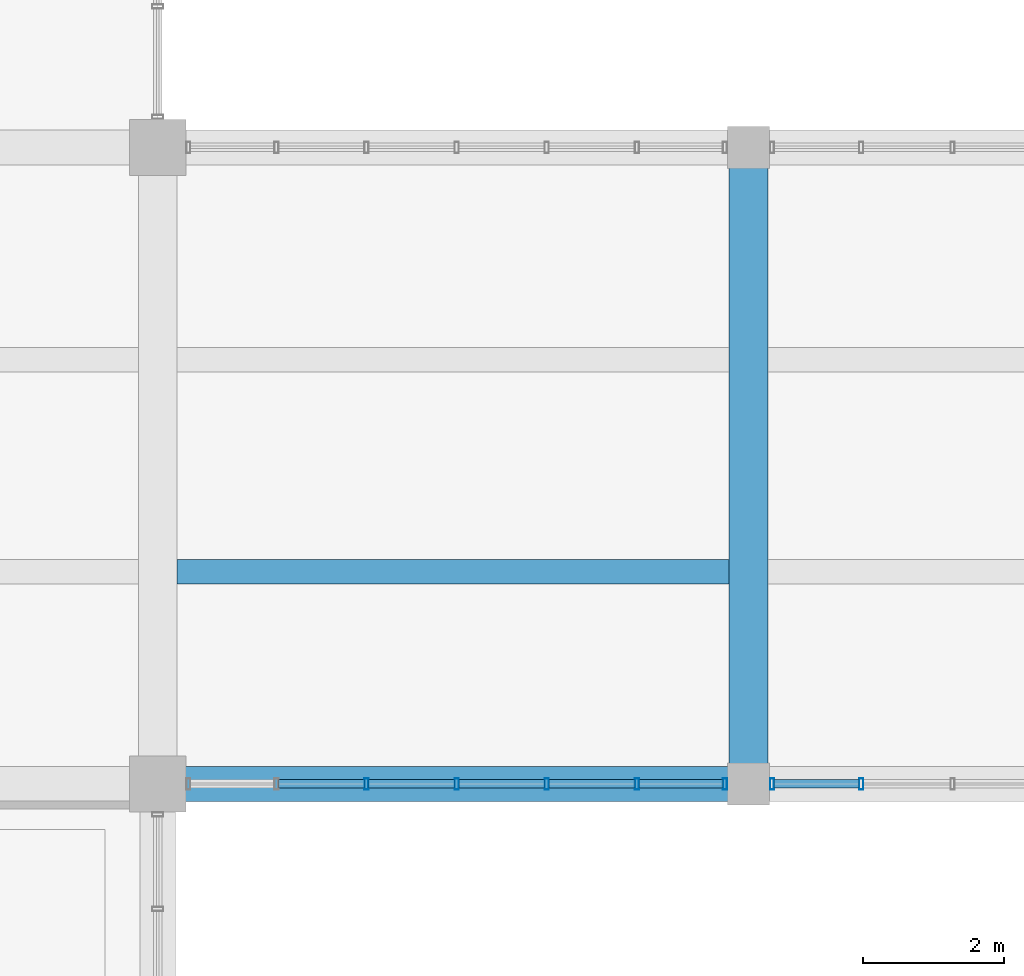
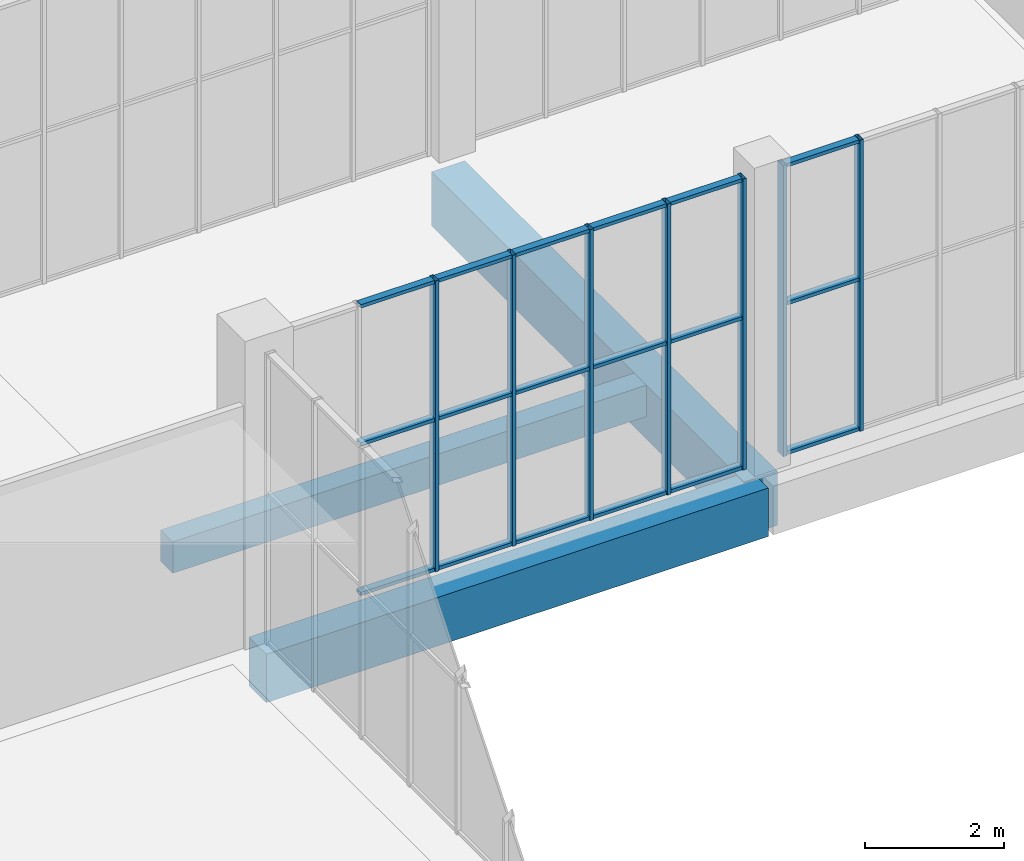
# One storey, part 39 of 132: 25 members, 3 beams, 2 elements without a shape of their own.
"""IFC4 building model written with IfcOpenShell, lengths in metres."""

from ifc_helpers import new_model, si_unit, direction, frame, origin, origin_2d, place, context, subcontext, project, spatial, rectangle, hollow_rectangle, extrude, material, material_profile, profile_set, type_object, element, aggregate, save


model = new_model("IFC4")

# Units and contexts
model_context = context("Model", 3, precision=1e-05, world=origin(), true_north=direction((0.0, 1.0)))
body_context = subcontext(model_context, "Body", "Model", "MODEL_VIEW")
ifc_project = project(units=[si_unit("LENGTHUNIT", "METRE"), si_unit("AREAUNIT", "SQUARE_METRE"), si_unit("VOLUMEUNIT", "CUBIC_METRE"), si_unit("PLANEANGLEUNIT", "RADIAN"), si_unit("MASSUNIT", "GRAM", prefix="KILO")], contexts=[model_context])

# Site, building, storey
site_placement = place(None, origin())
site = spatial("IfcSite", under=ifc_project, at=site_placement, CompositionType="ELEMENT")
building_placement = place(site_placement, origin())
building = spatial("IfcBuilding", under=site, at=building_placement, Name="Khurvash Pelagic Aquarium", CompositionType="ELEMENT")
storey_placement = place(building_placement, frame((0.0, 0.0, 5.39990234375)))
storey = spatial("IfcBuildingStorey", under=building, at=storey_placement, Name="L01", CompositionType="ELEMENT", Elevation=5.39990234375)

# Beam
ifc_material_1 = material(Name="Concrete C40/50", Category="concrete")
ifc_material_profile_1 = material_profile(ifc_material_1, rectangle(XDim=0.550048828125, YDim=0.949951171875, at=origin_2d()), Name="RC550X950")
ifc_profile_set_1 = profile_set([ifc_material_profile_1], Name="Concrete C40/50")
beam_type_1 = type_object("IfcBeamType", Name="BM-02", PredefinedType="BEAM", material=ifc_profile_set_1)
beam_1_placement = place(storey_placement, frame((117.60009765625, 20.739990234375, -0.784912109375), z_axis=(0.0, 1.0, 0.0), x_axis=(-1.0, 0.0, 0.0)))
element("IfcBeam", 1, at=beam_1_placement, inside=storey, type_object=beam_type_1, Name="L01 Primary Girder BM-02 00424", PredefinedType="BEAM", context=body_context, shape_type="SweptSolid", body=[
    extrude(rectangle(XDim=0.550048828125, YDim=0.949951171875, at=origin_2d()), origin(), (0.0, 0.0, 1.0), 8.969970703125),
])

# Curtain wall, members
ifc_material_2 = material(Name="Anodised aluminium and low-E laminated glass", Category="aluminium")
curtain_wall_type = type_object("IfcCurtainWallType", Name="CW-05", PredefinedType="USERDEFINED", material=ifc_material_2)
curtain_wall_1_placement = place(storey_placement, origin())
curtain_wall_1 = element("IfcCurtainWall", 2, at=curtain_wall_1_placement, inside=storey, type_object=curtain_wall_type, Name="L01 Facade Unitised Curtain Wall CW-05 0109", ObjectType="UNITISED CURTAIN WALL", PredefinedType="USERDEFINED")
ifc_material_3 = material(Name="Extruded aluminium AW-6063-T6", Category="aluminium")
ifc_material_profile_2 = material_profile(ifc_material_3, hollow_rectangle(XDim=0.06005859375, YDim=0.159912109375, WallThickness=0.00390625, at=origin_2d()), Name="CWM60X160X4")
ifc_profile_set_2 = profile_set([ifc_material_profile_2], Name="Extruded aluminium AW-6063-T6")
member_type_1 = type_object("IfcMemberType", Name="CM-02", PredefinedType="MULLION", material=ifc_profile_set_2)
member_1_placement = place(storey_placement, frame((112.168212890625, 20.699951171875, 0.0), z_axis=(0.0, 0.0, 1.0), x_axis=(1.0, 0.0, 0.0)))
member_1 = element("IfcMember", 3, at=member_1_placement, type_object=member_type_1, Name="CW-05 mullion 3", PredefinedType="MULLION", context=body_context, shape_type="SweptSolid", body=[
    extrude(hollow_rectangle(XDim=0.06005859375, YDim=0.159912109375, WallThickness=0.00390625, at=origin_2d()), origin(), (0.0, 0.0, 1.0), 5.10009765625),
])
member_2_placement = place(storey_placement, frame((113.449951171875, 20.699951171875, 0.0), z_axis=(0.0, 0.0, 1.0), x_axis=(1.0, 0.0, 0.0)))
member_2 = element("IfcMember", 4, at=member_2_placement, type_object=member_type_1, Name="CW-05 mullion 4", PredefinedType="MULLION", context=body_context, shape_type="SweptSolid", body=[
    extrude(hollow_rectangle(XDim=0.06005859375, YDim=0.159912109375, WallThickness=0.00390625, at=origin_2d()), origin(), (0.0, 0.0, 1.0), 5.10009765625),
])
member_3_placement = place(storey_placement, frame((114.731689453125, 20.699951171875, 0.0), z_axis=(0.0, 0.0, 1.0), x_axis=(1.0, 0.0, 0.0)))
member_3 = element("IfcMember", 5, at=member_3_placement, type_object=member_type_1, Name="CW-05 mullion 5", PredefinedType="MULLION", context=body_context, shape_type="SweptSolid", body=[
    extrude(hollow_rectangle(XDim=0.06005859375, YDim=0.159912109375, WallThickness=0.00390625, at=origin_2d()), origin(), (0.0, 0.0, 1.0), 5.10009765625),
])
member_4_placement = place(storey_placement, frame((116.013427734375, 20.699951171875, 0.0), z_axis=(0.0, 0.0, 1.0), x_axis=(1.0, 0.0, 0.0)))
member_4 = element("IfcMember", 6, at=member_4_placement, type_object=member_type_1, Name="CW-05 mullion 6", PredefinedType="MULLION", context=body_context, shape_type="SweptSolid", body=[
    extrude(hollow_rectangle(XDim=0.06005859375, YDim=0.159912109375, WallThickness=0.00390625, at=origin_2d()), origin(), (0.0, 0.0, 1.0), 5.10009765625),
])
member_5_placement = place(storey_placement, frame((117.264892578125, 20.699951171875, 0.0), z_axis=(0.0, 0.0, 1.0), x_axis=(1.0, 0.0, 0.0)))
member_5 = element("IfcMember", 7, at=member_5_placement, type_object=member_type_1, Name="CW-05 mullion 7", PredefinedType="MULLION", context=body_context, shape_type="SweptSolid", body=[
    extrude(hollow_rectangle(XDim=0.06005859375, YDim=0.159912109375, WallThickness=0.00390625, at=origin_2d()), origin(), (0.0, 0.0, 1.0), 5.10009765625),
])

curtain_wall_2_placement = place(storey_placement, origin())
curtain_wall_2 = element("IfcCurtainWall", 8, at=curtain_wall_2_placement, inside=storey, type_object=curtain_wall_type, Name="L01 Facade Unitised Curtain Wall CW-05 0110", ObjectType="UNITISED CURTAIN WALL", PredefinedType="USERDEFINED")
member_6_placement = place(storey_placement, frame((117.93505859375, 20.699951171875, 0.0), z_axis=(0.0, 0.0, 1.0), x_axis=(1.0, 0.0, 0.0)))
member_6 = element("IfcMember", 9, at=member_6_placement, type_object=member_type_1, Name="CW-05 mullion 1", PredefinedType="MULLION", context=body_context, shape_type="SweptSolid", body=[
    extrude(hollow_rectangle(XDim=0.06005859375, YDim=0.159912109375, WallThickness=0.00390625, at=origin_2d()), origin(), (0.0, 0.0, 1.0), 5.10009765625),
])
member_7_placement = place(storey_placement, frame((119.203369140625, 20.699951171875, 0.0), z_axis=(0.0, 0.0, 1.0), x_axis=(1.0, 0.0, 0.0)))
member_7 = element("IfcMember", 10, at=member_7_placement, type_object=member_type_1, Name="CW-05 mullion 2", PredefinedType="MULLION", context=body_context, shape_type="SweptSolid", body=[
    extrude(hollow_rectangle(XDim=0.06005859375, YDim=0.159912109375, WallThickness=0.00390625, at=origin_2d()), origin(), (0.0, 0.0, 1.0), 5.10009765625),
])

# Member
ifc_material_profile_3 = material_profile(ifc_material_3, hollow_rectangle(XDim=0.1201171875, YDim=0.06005859375, WallThickness=0.00390625, at=origin_2d()), Name="CWT120X60X4")
ifc_profile_set_3 = profile_set([ifc_material_profile_3], Name="Extruded aluminium AW-6063-T6")
member_type_2 = type_object("IfcMemberType", Name="CT-02", PredefinedType="USERDEFINED", material=ifc_profile_set_3)
member_8_placement = place(storey_placement, frame((110.916748046875, 20.699951171875, 0.030029296875), z_axis=(1.0, 0.0, 0.0), x_axis=(0.0, 1.0, 0.0)))
member_8 = element("IfcMember", 11, at=member_8_placement, type_object=member_type_2, Name="CW-05 transom 2.1", ObjectType="TRANSOM", PredefinedType="USERDEFINED", context=body_context, shape_type="SweptSolid", body=[
    extrude(hollow_rectangle(XDim=0.1201171875, YDim=0.06005859375, WallThickness=0.00390625, at=origin_2d()), origin(), (0.0, 0.0, 1.0), 1.2216796875),
])

member_9_placement = place(storey_placement, frame((110.916748046875, 20.699951171875, 2.652099609375), z_axis=(1.0, 0.0, 0.0), x_axis=(0.0, 1.0, 0.0)))
member_9 = element("IfcMember", 12, at=member_9_placement, type_object=member_type_2, Name="CW-05 transom 2.2", ObjectType="TRANSOM", PredefinedType="USERDEFINED", context=body_context, shape_type="SweptSolid", body=[
    extrude(hollow_rectangle(XDim=0.1201171875, YDim=0.06005859375, WallThickness=0.00390625, at=origin_2d()), origin(), (0.0, 0.0, 1.0), 1.2216796875),
])

member_10_placement = place(storey_placement, frame((110.916748046875, 20.699951171875, 5.070068359375), z_axis=(1.0, 0.0, 0.0), x_axis=(0.0, 1.0, 0.0)))
member_10 = element("IfcMember", 13, at=member_10_placement, type_object=member_type_2, Name="CW-05 transom 2.3", ObjectType="TRANSOM", PredefinedType="USERDEFINED", context=body_context, shape_type="SweptSolid", body=[
    extrude(hollow_rectangle(XDim=0.1201171875, YDim=0.06005859375, WallThickness=0.00390625, at=origin_2d()), origin(), (0.0, 0.0, 1.0), 1.2216796875),
])

member_11_placement = place(storey_placement, frame((112.1982421875, 20.699951171875, 0.030029296875), z_axis=(1.0, 0.0, 0.0), x_axis=(0.0, 1.0, 0.0)))
member_11 = element("IfcMember", 14, at=member_11_placement, type_object=member_type_2, Name="CW-05 transom 3.1", ObjectType="TRANSOM", PredefinedType="USERDEFINED", context=body_context, shape_type="SweptSolid", body=[
    extrude(hollow_rectangle(XDim=0.1201171875, YDim=0.06005859375, WallThickness=0.00390625, at=origin_2d()), origin(), (0.0, 0.0, 1.0), 1.2216796875),
])

member_12_placement = place(storey_placement, frame((112.1982421875, 20.699951171875, 2.652099609375), z_axis=(1.0, 0.0, 0.0), x_axis=(0.0, 1.0, 0.0)))
member_12 = element("IfcMember", 15, at=member_12_placement, type_object=member_type_2, Name="CW-05 transom 3.2", ObjectType="TRANSOM", PredefinedType="USERDEFINED", context=body_context, shape_type="SweptSolid", body=[
    extrude(hollow_rectangle(XDim=0.1201171875, YDim=0.06005859375, WallThickness=0.00390625, at=origin_2d()), origin(), (0.0, 0.0, 1.0), 1.2216796875),
])

member_13_placement = place(storey_placement, frame((112.1982421875, 20.699951171875, 5.070068359375), z_axis=(1.0, 0.0, 0.0), x_axis=(0.0, 1.0, 0.0)))
member_13 = element("IfcMember", 16, at=member_13_placement, type_object=member_type_2, Name="CW-05 transom 3.3", ObjectType="TRANSOM", PredefinedType="USERDEFINED", context=body_context, shape_type="SweptSolid", body=[
    extrude(hollow_rectangle(XDim=0.1201171875, YDim=0.06005859375, WallThickness=0.00390625, at=origin_2d()), origin(), (0.0, 0.0, 1.0), 1.2216796875),
])

member_14_placement = place(storey_placement, frame((113.47998046875, 20.699951171875, 0.030029296875), z_axis=(1.0, 0.0, 0.0), x_axis=(0.0, 1.0, 0.0)))
member_14 = element("IfcMember", 17, at=member_14_placement, type_object=member_type_2, Name="CW-05 transom 4.1", ObjectType="TRANSOM", PredefinedType="USERDEFINED", context=body_context, shape_type="SweptSolid", body=[
    extrude(hollow_rectangle(XDim=0.1201171875, YDim=0.06005859375, WallThickness=0.00390625, at=origin_2d()), origin(), (0.0, 0.0, 1.0), 1.2216796875),
])

member_15_placement = place(storey_placement, frame((113.47998046875, 20.699951171875, 2.652099609375), z_axis=(1.0, 0.0, 0.0), x_axis=(0.0, 1.0, 0.0)))
member_15 = element("IfcMember", 18, at=member_15_placement, type_object=member_type_2, Name="CW-05 transom 4.2", ObjectType="TRANSOM", PredefinedType="USERDEFINED", context=body_context, shape_type="SweptSolid", body=[
    extrude(hollow_rectangle(XDim=0.1201171875, YDim=0.06005859375, WallThickness=0.00390625, at=origin_2d()), origin(), (0.0, 0.0, 1.0), 1.2216796875),
])

member_16_placement = place(storey_placement, frame((113.47998046875, 20.699951171875, 5.070068359375), z_axis=(1.0, 0.0, 0.0), x_axis=(0.0, 1.0, 0.0)))
member_16 = element("IfcMember", 19, at=member_16_placement, type_object=member_type_2, Name="CW-05 transom 4.3", ObjectType="TRANSOM", PredefinedType="USERDEFINED", context=body_context, shape_type="SweptSolid", body=[
    extrude(hollow_rectangle(XDim=0.1201171875, YDim=0.06005859375, WallThickness=0.00390625, at=origin_2d()), origin(), (0.0, 0.0, 1.0), 1.2216796875),
])

member_17_placement = place(storey_placement, frame((114.76171875, 20.699951171875, 0.030029296875), z_axis=(1.0, 0.0, 0.0), x_axis=(0.0, 1.0, 0.0)))
member_17 = element("IfcMember", 20, at=member_17_placement, type_object=member_type_2, Name="CW-05 transom 5.1", ObjectType="TRANSOM", PredefinedType="USERDEFINED", context=body_context, shape_type="SweptSolid", body=[
    extrude(hollow_rectangle(XDim=0.1201171875, YDim=0.06005859375, WallThickness=0.00390625, at=origin_2d()), origin(), (0.0, 0.0, 1.0), 1.2216796875),
])

member_18_placement = place(storey_placement, frame((114.76171875, 20.699951171875, 2.652099609375), z_axis=(1.0, 0.0, 0.0), x_axis=(0.0, 1.0, 0.0)))
member_18 = element("IfcMember", 21, at=member_18_placement, type_object=member_type_2, Name="CW-05 transom 5.2", ObjectType="TRANSOM", PredefinedType="USERDEFINED", context=body_context, shape_type="SweptSolid", body=[
    extrude(hollow_rectangle(XDim=0.1201171875, YDim=0.06005859375, WallThickness=0.00390625, at=origin_2d()), origin(), (0.0, 0.0, 1.0), 1.2216796875),
])

member_19_placement = place(storey_placement, frame((114.76171875, 20.699951171875, 5.070068359375), z_axis=(1.0, 0.0, 0.0), x_axis=(0.0, 1.0, 0.0)))
member_19 = element("IfcMember", 22, at=member_19_placement, type_object=member_type_2, Name="CW-05 transom 5.3", ObjectType="TRANSOM", PredefinedType="USERDEFINED", context=body_context, shape_type="SweptSolid", body=[
    extrude(hollow_rectangle(XDim=0.1201171875, YDim=0.06005859375, WallThickness=0.00390625, at=origin_2d()), origin(), (0.0, 0.0, 1.0), 1.2216796875),
])

member_20_placement = place(storey_placement, frame((116.043212890625, 20.699951171875, 0.030029296875), z_axis=(1.0, 0.0, 0.0), x_axis=(0.0, 1.0, 0.0)))
member_20 = element("IfcMember", 23, at=member_20_placement, type_object=member_type_2, Name="CW-05 transom 6.1", ObjectType="TRANSOM", PredefinedType="USERDEFINED", context=body_context, shape_type="SweptSolid", body=[
    extrude(hollow_rectangle(XDim=0.1201171875, YDim=0.06005859375, WallThickness=0.00390625, at=origin_2d()), origin(), (0.0, 0.0, 1.0), 1.19189453125),
])

member_21_placement = place(storey_placement, frame((116.043212890625, 20.699951171875, 2.652099609375), z_axis=(1.0, 0.0, 0.0), x_axis=(0.0, 1.0, 0.0)))
member_21 = element("IfcMember", 24, at=member_21_placement, type_object=member_type_2, Name="CW-05 transom 6.2", ObjectType="TRANSOM", PredefinedType="USERDEFINED", context=body_context, shape_type="SweptSolid", body=[
    extrude(hollow_rectangle(XDim=0.1201171875, YDim=0.06005859375, WallThickness=0.00390625, at=origin_2d()), origin(), (0.0, 0.0, 1.0), 1.19189453125),
])

member_22_placement = place(storey_placement, frame((116.043212890625, 20.699951171875, 5.070068359375), z_axis=(1.0, 0.0, 0.0), x_axis=(0.0, 1.0, 0.0)))
member_22 = element("IfcMember", 25, at=member_22_placement, type_object=member_type_2, Name="CW-05 transom 6.3", ObjectType="TRANSOM", PredefinedType="USERDEFINED", context=body_context, shape_type="SweptSolid", body=[
    extrude(hollow_rectangle(XDim=0.1201171875, YDim=0.06005859375, WallThickness=0.00390625, at=origin_2d()), origin(), (0.0, 0.0, 1.0), 1.19189453125),
])

aggregate(curtain_wall_1, [member_1, member_2, member_3, member_4, member_5, member_8, member_9, member_10, member_11, member_12, member_13, member_14, member_15, member_16, member_17, member_18, member_19, member_20, member_21, member_22])

member_23_placement = place(storey_placement, frame((117.965087890625, 20.699951171875, 0.030029296875), z_axis=(1.0, 0.0, 0.0), x_axis=(0.0, 1.0, 0.0)))
member_23 = element("IfcMember", 26, at=member_23_placement, type_object=member_type_2, Name="CW-05 transom 1.1", ObjectType="TRANSOM", PredefinedType="USERDEFINED", context=body_context, shape_type="SweptSolid", body=[
    extrude(hollow_rectangle(XDim=0.1201171875, YDim=0.06005859375, WallThickness=0.00390625, at=origin_2d()), origin(), (0.0, 0.0, 1.0), 1.208251953125),
])

member_24_placement = place(storey_placement, frame((117.965087890625, 20.699951171875, 2.652099609375), z_axis=(1.0, 0.0, 0.0), x_axis=(0.0, 1.0, 0.0)))
member_24 = element("IfcMember", 27, at=member_24_placement, type_object=member_type_2, Name="CW-05 transom 1.2", ObjectType="TRANSOM", PredefinedType="USERDEFINED", context=body_context, shape_type="SweptSolid", body=[
    extrude(hollow_rectangle(XDim=0.1201171875, YDim=0.06005859375, WallThickness=0.00390625, at=origin_2d()), origin(), (0.0, 0.0, 1.0), 1.208251953125),
])

member_25_placement = place(storey_placement, frame((117.965087890625, 20.699951171875, 5.070068359375), z_axis=(1.0, 0.0, 0.0), x_axis=(0.0, 1.0, 0.0)))
member_25 = element("IfcMember", 28, at=member_25_placement, type_object=member_type_2, Name="CW-05 transom 1.3", ObjectType="TRANSOM", PredefinedType="USERDEFINED", context=body_context, shape_type="SweptSolid", body=[
    extrude(hollow_rectangle(XDim=0.1201171875, YDim=0.06005859375, WallThickness=0.00390625, at=origin_2d()), origin(), (0.0, 0.0, 1.0), 1.208251953125),
])

aggregate(curtain_wall_2, [member_6, member_7, member_23, member_24, member_25])

# Beams
ifc_material_4 = material(Name="Concrete C35/45", Category="concrete")
ifc_material_profile_4 = material_profile(ifc_material_4, rectangle(XDim=0.35009765625, YDim=0.550048828125, at=origin_2d()), Name="RC350X550")
ifc_profile_set_4 = profile_set([ifc_material_profile_4], Name="Concrete C35/45")
beam_type_2 = type_object("IfcBeamType", Name="JS-01", PredefinedType="JOIST", material=ifc_profile_set_4)
beam_2_placement = place(storey_placement, frame((109.47509765625, 23.717041015625, -0.5849609375), z_axis=(1.0, 0.0, 0.0), x_axis=(0.0, 1.0, 0.0)))
element("IfcBeam", 29, at=beam_2_placement, inside=storey, type_object=beam_type_2, Name="L01 Floor Joist JS-01 00552", PredefinedType="JOIST", context=body_context, shape_type="SweptSolid", body=[
    extrude(rectangle(XDim=0.35009765625, YDim=0.550048828125, at=origin_2d()), origin(), (0.0, 0.0, 1.0), 7.849853515625),
])
ifc_material_profile_5 = material_profile(ifc_material_1, rectangle(XDim=0.5, YDim=0.85009765625, at=origin_2d()), Name="RC500X850")
ifc_profile_set_5 = profile_set([ifc_material_profile_5], Name="Concrete C40/50")
beam_type_3 = type_object("IfcBeamType", Name="SEB-03", PredefinedType="SPANDREL", material=ifc_profile_set_5)
beam_3_placement = place(storey_placement, frame((109.239990234375, 20.699951171875, -0.744873046875), z_axis=(1.0, 0.0, 0.0), x_axis=(0.0, 1.0, 0.0)))
element("IfcBeam", 30, at=beam_3_placement, inside=storey, type_object=beam_type_3, Name="L01 Primary Girder SEB-03 00269", PredefinedType="SPANDREL", context=body_context, shape_type="SweptSolid", body=[
    extrude(rectangle(XDim=0.5, YDim=0.85009765625, at=origin_2d()), origin(), (0.0, 0.0, 1.0), 8.320068359375),
])

save(model, "model.ifc")
